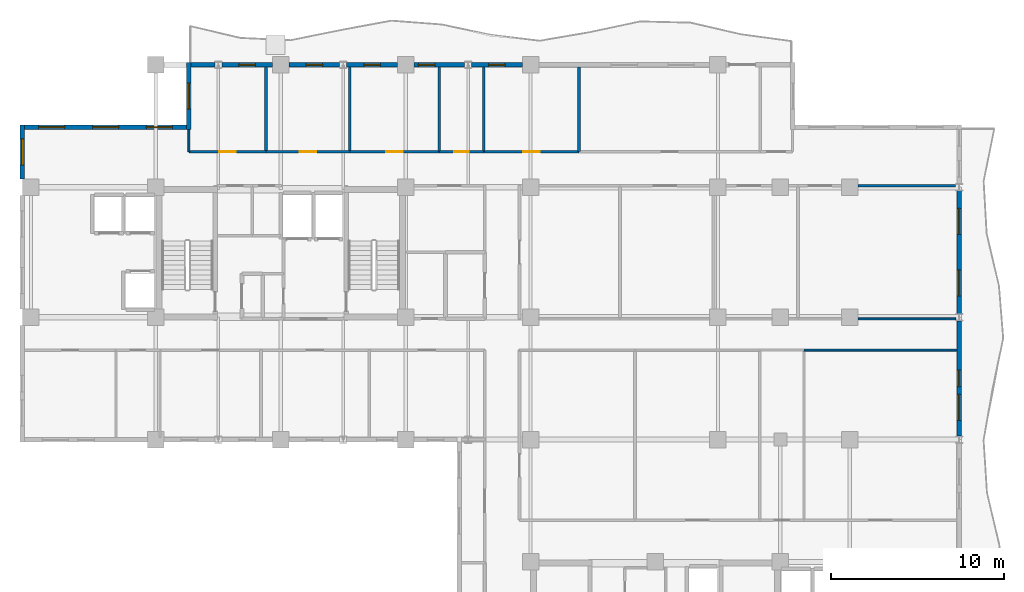
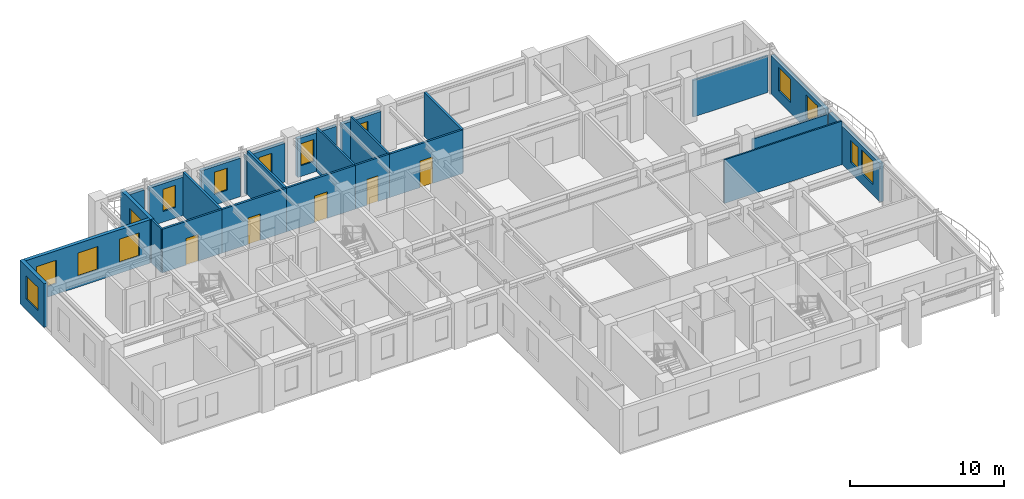
# One storey, part 9 of 13: 25 walls, 14 windows, 5 doors, 19 openings.
"""IFC4 building model written with IfcOpenShell, lengths in metres."""

from ifc_helpers import new_model, si_unit, direction, frame, frame_2d, origin, place, context, subcontext, project, spatial, rectangle, extrude, material, layer, layer_set, type_object, element, fill, save


model = new_model("IFC4")

# Units and contexts
model_context = context("Model", 3, precision=1e-05, world=origin(), true_north=direction((0.0, 1.0)))
body_context = subcontext(model_context, "Body", "Model", "MODEL_VIEW")
ifc_project = project(units=[si_unit("LENGTHUNIT", "METRE"), si_unit("AREAUNIT", "SQUARE_METRE"), si_unit("VOLUMEUNIT", "CUBIC_METRE"), si_unit("PLANEANGLEUNIT", "RADIAN"), si_unit("MASSUNIT", "GRAM", prefix="KILO")], contexts=[model_context])

# Site, building, storey
site_placement = place(None, origin())
site = spatial("IfcSite", under=ifc_project, at=site_placement, CompositionType="ELEMENT")
building_placement = place(site_placement, origin())
building = spatial("IfcBuilding", under=site, at=building_placement, Name="Kaliganga Portal Commons", CompositionType="ELEMENT")
storey_placement = place(building_placement, frame((0.0, 0.0, 224.0)))
storey = spatial("IfcBuildingStorey", under=building, at=storey_placement, Name="L57", CompositionType="ELEMENT", Elevation=224.0)

# Wall, openings, windows
ifc_material_1 = material(Name="Insulated Aluminium-Clad Spandrel Assembly", Category="aluminium")
ifc_layer_1 = layer(ifc_material_1, 0.260009765625)
ifc_layer_set_1 = layer_set([ifc_layer_1], Name="Insulated Aluminium-Clad Spandrel Assembly")
wall_type_1 = type_object("IfcWallType", Name="WL-EXT-SPAND-260", PredefinedType="STANDARD", material=ifc_layer_set_1)
wall_1_placement = place(storey_placement, frame((60.699951171875, 28.448974609375, 0.0), z_axis=(0.0, 0.0, 1.0), x_axis=(0.0, -1.0, 0.0)))
wall_1 = element("IfcWall", 1, at=wall_1_placement, inside=storey, type_object=wall_type_1, Name="Exterior Envelope Wall L57 P1-E03-S3", PredefinedType="STANDARD", context=body_context, shape_type="SweptSolid", body=[
    extrude(rectangle(XDim=6.64794921875, YDim=0.260009765625, at=frame_2d((3.323974609375, 0.0))), origin(), (0.0, 0.0, 1.0), 3.050048828125),
])
opening_1_placement = place(wall_1_placement, frame((4.236083984375, 0.0, 0.85009765625)))
opening_1 = element("IfcOpeningElement", 2, at=opening_1_placement, cuts=wall_1, Name="Opening W-02", PredefinedType="OPENING", context=body_context, shape_type="SweptSolid", body=[
    extrude(rectangle(XDim=1.5, YDim=1.85009765625, at=frame_2d((0.75, 0.925048828125))), frame((0.0, 0.14013671875, 0.0), z_axis=(0.0, -1.0, 0.0), x_axis=(1.0, 0.0, 0.0)), (0.0, 0.0, 1.0), 0.280029296875),
])
opening_2_placement = place(wall_1_placement, frame((2.84912109375, 0.0, 0.85009765625)))
opening_2 = element("IfcOpeningElement", 3, at=opening_2_placement, cuts=wall_1, Name="Opening W-04", PredefinedType="OPENING", context=body_context, shape_type="SweptSolid", body=[
    extrude(rectangle(XDim=0.949951171875, YDim=1.75, at=frame_2d((0.47509765625, 0.875))), frame((0.0, 0.14013671875, 0.0), z_axis=(0.0, -1.0, 0.0), x_axis=(1.0, 0.0, 0.0)), (0.0, 0.0, 1.0), 0.280029296875),
])
ifc_material_2 = material(Name="Thermally Broken Aluminium and Low-E Double Glazing", Category="aluminium")
window_type_1 = type_object("IfcWindowType", Name="WIN-NARROW-950", PartitioningType="SINGLE_PANEL", PredefinedType="WINDOW", material=ifc_material_2)
window_1_placement = place(opening_2_placement, origin())
window_1 = element("IfcWindow", 4, at=window_1_placement, inside=storey, type_object=window_type_1, Name="Facade Window L57-P1E03S3-N0", OverallHeight=1.75, OverallWidth=0.949951171875, PartitioningType="SINGLE_PANEL", PredefinedType="WINDOW", context=body_context, shape_type="SweptSolid", body=[
    extrude(rectangle(XDim=0.949951171875, YDim=1.75, at=frame_2d((0.47509765625, 0.875))), frame((0.0, 0.030029296875, 0.0), z_axis=(0.0, -1.0, 0.0), x_axis=(1.0, 0.0, 0.0)), (0.0, 0.0, 1.0), 0.06005859375),
])
fill(opening_2, window_1)
window_type_2 = type_object("IfcWindowType", Name="WIN-STD-1500", PartitioningType="DOUBLE_PANEL_VERTICAL", PredefinedType="WINDOW", material=ifc_material_2)
window_2_placement = place(opening_1_placement, origin())
window_2 = element("IfcWindow", 5, at=window_2_placement, inside=storey, type_object=window_type_2, Name="Facade Window L57-P1E03S3-01", OverallHeight=1.85009765625, OverallWidth=1.5, PartitioningType="SINGLE_PANEL", PredefinedType="WINDOW", context=body_context, shape_type="SweptSolid", body=[
    extrude(rectangle(XDim=1.5, YDim=1.85009765625, at=frame_2d((0.75, 0.925048828125))), frame((0.0, 0.030029296875, 0.0), z_axis=(0.0, -1.0, 0.0), x_axis=(1.0, 0.0, 0.0)), (0.0, 0.0, 1.0), 0.06005859375),
])
fill(opening_1, window_2)

wall_2_placement = place(storey_placement, frame((60.699951171875, 35.948974609375, 0.0), z_axis=(0.0, 0.0, 1.0), x_axis=(0.0, -1.0, 0.0)))
wall_2 = element("IfcWall", 6, at=wall_2_placement, inside=storey, type_object=wall_type_1, Name="Exterior Envelope Wall L57 P1-E03-S4", PredefinedType="STANDARD", context=body_context, shape_type="SweptSolid", body=[
    extrude(rectangle(XDim=7.097900390625, YDim=0.260009765625, at=frame_2d((3.548828125, 0.0))), origin(), (0.0, 0.0, 1.0), 3.050048828125),
])
opening_3_placement = place(wall_2_placement, frame((1.0244140625, 0.0, 0.85009765625)))
opening_3 = element("IfcOpeningElement", 7, at=opening_3_placement, cuts=wall_2, Name="Opening W-02", PredefinedType="OPENING", context=body_context, shape_type="SweptSolid", body=[
    extrude(rectangle(XDim=1.5, YDim=1.85009765625, at=frame_2d((0.75, 0.925048828125))), frame((0.0, 0.14013671875, 0.0), z_axis=(0.0, -1.0, 0.0), x_axis=(1.0, 0.0, 0.0)), (0.0, 0.0, 1.0), 0.280029296875),
])
opening_4_placement = place(wall_2_placement, frame((4.573486328125, 0.0, 0.85009765625)))
opening_4 = element("IfcOpeningElement", 8, at=opening_4_placement, cuts=wall_2, Name="Opening W-02", PredefinedType="OPENING", context=body_context, shape_type="SweptSolid", body=[
    extrude(rectangle(XDim=1.5, YDim=1.85009765625, at=frame_2d((0.75, 0.925048828125))), frame((0.0, 0.14013671875, 0.0), z_axis=(0.0, -1.0, 0.0), x_axis=(1.0, 0.0, 0.0)), (0.0, 0.0, 1.0), 0.280029296875),
])
window_3_placement = place(opening_3_placement, origin())
window_3 = element("IfcWindow", 9, at=window_3_placement, inside=storey, type_object=window_type_2, Name="Facade Window L57-P1E03S4-00", OverallHeight=1.85009765625, OverallWidth=1.5, PartitioningType="SINGLE_PANEL", PredefinedType="WINDOW", context=body_context, shape_type="SweptSolid", body=[
    extrude(rectangle(XDim=1.5, YDim=1.85009765625, at=frame_2d((0.75, 0.925048828125))), frame((0.0, 0.030029296875, 0.0), z_axis=(0.0, -1.0, 0.0), x_axis=(1.0, 0.0, 0.0)), (0.0, 0.0, 1.0), 0.06005859375),
])
fill(opening_3, window_3)
window_4_placement = place(opening_4_placement, origin())
window_4 = element("IfcWindow", 10, at=window_4_placement, inside=storey, type_object=window_type_2, Name="Facade Window L57-P1E03S4-01", OverallHeight=1.85009765625, OverallWidth=1.5, PartitioningType="SINGLE_PANEL", PredefinedType="WINDOW", context=body_context, shape_type="SweptSolid", body=[
    extrude(rectangle(XDim=1.5, YDim=1.85009765625, at=frame_2d((0.75, 0.925048828125))), frame((0.0, 0.030029296875, 0.0), z_axis=(0.0, -1.0, 0.0), x_axis=(1.0, 0.0, 0.0)), (0.0, 0.0, 1.0), 0.06005859375),
])
fill(opening_4, window_4)

# Wall, opening, window
wall_3_placement = place(storey_placement, frame((32.6005859375, 43.199951171875, 0.0), z_axis=(0.0, 0.0, 1.0), x_axis=(1.0, 0.0, 0.0)))
wall_3 = element("IfcWall", 11, at=wall_3_placement, inside=storey, type_object=wall_type_1, Name="Exterior Envelope Wall L57 P1-E06-S3", PredefinedType="STANDARD", context=body_context, shape_type="SweptSolid", body=[
    extrude(rectangle(XDim=2.92333984375, YDim=0.260009765625, at=frame_2d((1.461669921875, 0.0))), origin(), (0.0, 0.0, 1.0), 3.050048828125),
])
opening_5_placement = place(wall_3_placement, frame((0.98681640625, 0.0, 0.85009765625)))
opening_5 = element("IfcOpeningElement", 12, at=opening_5_placement, cuts=wall_3, Name="Opening W-04", PredefinedType="OPENING", context=body_context, shape_type="SweptSolid", body=[
    extrude(rectangle(XDim=0.949951171875, YDim=1.75, at=frame_2d((0.47509765625, 0.875))), frame((0.0, 0.14013671875, 0.0), z_axis=(0.0, -1.0, 0.0), x_axis=(1.0, 0.0, 0.0)), (0.0, 0.0, 1.0), 0.280029296875),
])
window_5_placement = place(opening_5_placement, origin())
window_5 = element("IfcWindow", 13, at=window_5_placement, inside=storey, type_object=window_type_1, Name="Facade Window L57-P1E06S3-00", OverallHeight=1.75, OverallWidth=0.949951171875, PartitioningType="SINGLE_PANEL", PredefinedType="WINDOW", context=body_context, shape_type="SweptSolid", body=[
    extrude(rectangle(XDim=0.949951171875, YDim=1.75, at=frame_2d((0.47509765625, 0.875))), frame((0.0, 0.030029296875, 0.0), z_axis=(0.0, -1.0, 0.0), x_axis=(1.0, 0.0, 0.0)), (0.0, 0.0, 1.0), 0.06005859375),
])
fill(opening_5, window_5)

wall_4_placement = place(storey_placement, frame((29.27587890625, 43.199951171875, 0.0), z_axis=(0.0, 0.0, 1.0), x_axis=(1.0, 0.0, 0.0)))
wall_4 = element("IfcWall", 14, at=wall_4_placement, inside=storey, type_object=wall_type_1, Name="Exterior Envelope Wall L57 P1-E06-S4", PredefinedType="STANDARD", context=body_context, shape_type="SweptSolid", body=[
    extrude(rectangle(XDim=2.923583984375, YDim=0.260009765625, at=frame_2d((1.4619140625, 0.0))), origin(), (0.0, 0.0, 1.0), 3.050048828125),
])
opening_6_placement = place(wall_4_placement, frame((0.26171875, 0.0, 0.85009765625)))
opening_6 = element("IfcOpeningElement", 15, at=opening_6_placement, cuts=wall_4, Name="Opening W-04", PredefinedType="OPENING", context=body_context, shape_type="SweptSolid", body=[
    extrude(rectangle(XDim=0.949951171875, YDim=1.75, at=frame_2d((0.47509765625, 0.875))), frame((0.0, 0.14013671875, 0.0), z_axis=(0.0, -1.0, 0.0), x_axis=(1.0, 0.0, 0.0)), (0.0, 0.0, 1.0), 0.280029296875),
])
window_6_placement = place(opening_6_placement, origin())
window_6 = element("IfcWindow", 16, at=window_6_placement, inside=storey, type_object=window_type_1, Name="Facade Window L57-P1E06S4-N1", OverallHeight=1.75, OverallWidth=0.949951171875, PartitioningType="SINGLE_PANEL", PredefinedType="WINDOW", context=body_context, shape_type="SweptSolid", body=[
    extrude(rectangle(XDim=0.949951171875, YDim=1.75, at=frame_2d((0.47509765625, 0.875))), frame((0.0, 0.030029296875, 0.0), z_axis=(0.0, -1.0, 0.0), x_axis=(1.0, 0.0, 0.0)), (0.0, 0.0, 1.0), 0.06005859375),
])
fill(opening_6, window_6)

wall_5_placement = place(storey_placement, frame((25.400390625, 43.199951171875, 0.0), z_axis=(0.0, 0.0, 1.0), x_axis=(1.0, 0.0, 0.0)))
wall_5 = element("IfcWall", 17, at=wall_5_placement, inside=storey, type_object=wall_type_1, Name="Exterior Envelope Wall L57 P1-E06-S5", PredefinedType="STANDARD", context=body_context, shape_type="SweptSolid", body=[
    extrude(rectangle(XDim=2.923583984375, YDim=0.260009765625, at=frame_2d((1.4619140625, 0.0))), origin(), (0.0, 0.0, 1.0), 3.050048828125),
])
opening_7_placement = place(wall_5_placement, frame((0.98681640625, 0.0, 0.85009765625)))
opening_7 = element("IfcOpeningElement", 18, at=opening_7_placement, cuts=wall_5, Name="Opening W-04", PredefinedType="OPENING", context=body_context, shape_type="SweptSolid", body=[
    extrude(rectangle(XDim=0.949951171875, YDim=1.75, at=frame_2d((0.47509765625, 0.875))), frame((0.0, 0.14013671875, 0.0), z_axis=(0.0, -1.0, 0.0), x_axis=(1.0, 0.0, 0.0)), (0.0, 0.0, 1.0), 0.280029296875),
])
window_7_placement = place(opening_7_placement, origin())
window_7 = element("IfcWindow", 19, at=window_7_placement, inside=storey, type_object=window_type_1, Name="Facade Window L57-P1E06S5-00", OverallHeight=1.75, OverallWidth=0.949951171875, PartitioningType="SINGLE_PANEL", PredefinedType="WINDOW", context=body_context, shape_type="SweptSolid", body=[
    extrude(rectangle(XDim=0.949951171875, YDim=1.75, at=frame_2d((0.47509765625, 0.875))), frame((0.0, 0.030029296875, 0.0), z_axis=(0.0, -1.0, 0.0), x_axis=(1.0, 0.0, 0.0)), (0.0, 0.0, 1.0), 0.06005859375),
])
fill(opening_7, window_7)

wall_6_placement = place(storey_placement, frame((22.075927734375, 43.199951171875, 0.0), z_axis=(0.0, 0.0, 1.0), x_axis=(1.0, 0.0, 0.0)))
wall_6 = element("IfcWall", 20, at=wall_6_placement, inside=storey, type_object=wall_type_1, Name="Exterior Envelope Wall L57 P1-E06-S6", PredefinedType="STANDARD", context=body_context, shape_type="SweptSolid", body=[
    extrude(rectangle(XDim=2.923583984375, YDim=0.260009765625, at=frame_2d((1.4619140625, 0.0))), origin(), (0.0, 0.0, 1.0), 3.050048828125),
])
opening_8_placement = place(wall_6_placement, frame((0.98681640625, 0.0, 0.85009765625)))
opening_8 = element("IfcOpeningElement", 21, at=opening_8_placement, cuts=wall_6, Name="Opening W-04", PredefinedType="OPENING", context=body_context, shape_type="SweptSolid", body=[
    extrude(rectangle(XDim=0.949951171875, YDim=1.75, at=frame_2d((0.47509765625, 0.875))), frame((0.0, 0.14013671875, 0.0), z_axis=(0.0, -1.0, 0.0), x_axis=(1.0, 0.0, 0.0)), (0.0, 0.0, 1.0), 0.280029296875),
])
window_8_placement = place(opening_8_placement, origin())
window_8 = element("IfcWindow", 22, at=window_8_placement, inside=storey, type_object=window_type_1, Name="Facade Window L57-P1E06S6-00", OverallHeight=1.75, OverallWidth=0.949951171875, PartitioningType="SINGLE_PANEL", PredefinedType="WINDOW", context=body_context, shape_type="SweptSolid", body=[
    extrude(rectangle(XDim=0.949951171875, YDim=1.75, at=frame_2d((0.47509765625, 0.875))), frame((0.0, 0.030029296875, 0.0), z_axis=(0.0, -1.0, 0.0), x_axis=(1.0, 0.0, 0.0)), (0.0, 0.0, 1.0), 0.06005859375),
])
fill(opening_8, window_8)

wall_7_placement = place(storey_placement, frame((18.200439453125, 43.199951171875, 0.0), z_axis=(0.0, 0.0, 1.0), x_axis=(1.0, 0.0, 0.0)))
wall_7 = element("IfcWall", 23, at=wall_7_placement, inside=storey, type_object=wall_type_1, Name="Exterior Envelope Wall L57 P1-E06-S7", PredefinedType="STANDARD", context=body_context, shape_type="SweptSolid", body=[
    extrude(rectangle(XDim=2.923583984375, YDim=0.260009765625, at=frame_2d((1.4619140625, 0.0))), origin(), (0.0, 0.0, 1.0), 3.050048828125),
])
opening_9_placement = place(wall_7_placement, frame((0.98681640625, 0.0, 0.85009765625)))
opening_9 = element("IfcOpeningElement", 24, at=opening_9_placement, cuts=wall_7, Name="Opening W-04", PredefinedType="OPENING", context=body_context, shape_type="SweptSolid", body=[
    extrude(rectangle(XDim=0.949951171875, YDim=1.75, at=frame_2d((0.47509765625, 0.875))), frame((0.0, 0.14013671875, 0.0), z_axis=(0.0, -1.0, 0.0), x_axis=(1.0, 0.0, 0.0)), (0.0, 0.0, 1.0), 0.280029296875),
])
window_9_placement = place(opening_9_placement, origin())
window_9 = element("IfcWindow", 25, at=window_9_placement, inside=storey, type_object=window_type_1, Name="Facade Window L57-P1E06S7-00", OverallHeight=1.75, OverallWidth=0.949951171875, PartitioningType="SINGLE_PANEL", PredefinedType="WINDOW", context=body_context, shape_type="SweptSolid", body=[
    extrude(rectangle(XDim=0.949951171875, YDim=1.75, at=frame_2d((0.47509765625, 0.875))), frame((0.0, 0.030029296875, 0.0), z_axis=(0.0, -1.0, 0.0), x_axis=(1.0, 0.0, 0.0)), (0.0, 0.0, 1.0), 0.06005859375),
])
fill(opening_9, window_9)

# Wall
wall_8_placement = place(storey_placement, frame((16.43505859375, 43.199951171875, 0.0), z_axis=(0.0, 0.0, 1.0), x_axis=(1.0, 0.0, 0.0)))
element("IfcWall", 26, at=wall_8_placement, inside=storey, type_object=wall_type_1, Name="Exterior Envelope Wall L57 P1-E06-S8", PredefinedType="STANDARD", context=body_context, shape_type="SweptSolid", body=[
    extrude(rectangle(XDim=1.364501953125, YDim=0.260009765625, at=frame_2d((0.68212890625, 0.0))), origin(), (0.0, 0.0, 1.0), 3.050048828125),
])

# Wall, opening, window
wall_9_placement = place(storey_placement, frame((16.300048828125, 39.469970703125, 0.0), z_axis=(0.0, 0.0, 1.0), x_axis=(0.0, 1.0, 0.0)))
wall_9 = element("IfcWall", 27, at=wall_9_placement, inside=storey, type_object=wall_type_1, Name="Exterior Envelope Wall L57 P1-E07-S1", PredefinedType="STANDARD", context=body_context, shape_type="SweptSolid", body=[
    extrude(rectangle(XDim=3.860107421875, YDim=0.260009765625, at=frame_2d((1.93017578125, 0.0))), origin(), (0.0, 0.0, 1.0), 3.449951171875),
])
opening_10_placement = place(wall_9_placement, frame((1.179931640625, 0.0, 0.85009765625)))
opening_10 = element("IfcOpeningElement", 28, at=opening_10_placement, cuts=wall_9, Name="Opening W-02", PredefinedType="OPENING", context=body_context, shape_type="SweptSolid", body=[
    extrude(rectangle(XDim=1.5, YDim=1.85009765625, at=frame_2d((0.75, 0.925048828125))), frame((0.0, 0.14013671875, 0.0), z_axis=(0.0, -1.0, 0.0), x_axis=(1.0, 0.0, 0.0)), (0.0, 0.0, 1.0), 0.280029296875),
])
window_10_placement = place(opening_10_placement, origin())
window_10 = element("IfcWindow", 29, at=window_10_placement, inside=storey, type_object=window_type_2, Name="Facade Window L57-P1E07S1-00", OverallHeight=1.85009765625, OverallWidth=1.5, PartitioningType="SINGLE_PANEL", PredefinedType="WINDOW", context=body_context, shape_type="SweptSolid", body=[
    extrude(rectangle(XDim=1.5, YDim=1.85009765625, at=frame_2d((0.75, 0.925048828125))), frame((0.0, 0.030029296875, 0.0), z_axis=(0.0, -1.0, 0.0), x_axis=(1.0, 0.0, 0.0)), (0.0, 0.0, 1.0), 0.06005859375),
])
fill(opening_10, window_10)

# Wall, openings, windows
wall_10_placement = place(storey_placement, frame((6.8349609375, 39.60009765625, 0.0), z_axis=(0.0, 0.0, 1.0), x_axis=(1.0, 0.0, 0.0)))
wall_10 = element("IfcWall", 30, at=wall_10_placement, inside=storey, type_object=wall_type_1, Name="Exterior Envelope Wall L57 P1-E08-S1", PredefinedType="STANDARD", context=body_context, shape_type="SweptSolid", body=[
    extrude(rectangle(XDim=9.330078125, YDim=0.260009765625, at=frame_2d((4.6650390625, 0.0))), origin(), (0.0, 0.0, 1.0), 3.449951171875),
])
opening_11_placement = place(wall_10_placement, frame((0.804931640625, 0.0, 0.85009765625)))
opening_11 = element("IfcOpeningElement", 31, at=opening_11_placement, cuts=wall_10, Name="Opening W-02", PredefinedType="OPENING", context=body_context, shape_type="SweptSolid", body=[
    extrude(rectangle(XDim=1.5, YDim=1.85009765625, at=frame_2d((0.75, 0.925048828125))), frame((0.0, 0.14013671875, 0.0), z_axis=(0.0, -1.0, 0.0), x_axis=(1.0, 0.0, 0.0)), (0.0, 0.0, 1.0), 0.280029296875),
])
opening_12_placement = place(wall_10_placement, frame((3.9150390625, 0.0, 0.85009765625)))
opening_12 = element("IfcOpeningElement", 32, at=opening_12_placement, cuts=wall_10, Name="Opening W-02", PredefinedType="OPENING", context=body_context, shape_type="SweptSolid", body=[
    extrude(rectangle(XDim=1.5, YDim=1.85009765625, at=frame_2d((0.75, 0.925048828125))), frame((0.0, 0.14013671875, 0.0), z_axis=(0.0, -1.0, 0.0), x_axis=(1.0, 0.0, 0.0)), (0.0, 0.0, 1.0), 0.280029296875),
])
opening_13_placement = place(wall_10_placement, frame((7.02490234375, 0.0, 0.85009765625)))
opening_13 = element("IfcOpeningElement", 33, at=opening_13_placement, cuts=wall_10, Name="Opening W-02", PredefinedType="OPENING", context=body_context, shape_type="SweptSolid", body=[
    extrude(rectangle(XDim=1.5, YDim=1.85009765625, at=frame_2d((0.75, 0.925048828125))), frame((0.0, 0.14013671875, 0.0), z_axis=(0.0, -1.0, 0.0), x_axis=(1.0, 0.0, 0.0)), (0.0, 0.0, 1.0), 0.280029296875),
])
window_11_placement = place(opening_11_placement, origin())
window_11 = element("IfcWindow", 34, at=window_11_placement, inside=storey, type_object=window_type_2, Name="Facade Window L57-P1E08S1-00", OverallHeight=1.85009765625, OverallWidth=1.5, PartitioningType="SINGLE_PANEL", PredefinedType="WINDOW", context=body_context, shape_type="SweptSolid", body=[
    extrude(rectangle(XDim=1.5, YDim=1.85009765625, at=frame_2d((0.75, 0.925048828125))), frame((0.0, 0.030029296875, 0.0), z_axis=(0.0, -1.0, 0.0), x_axis=(1.0, 0.0, 0.0)), (0.0, 0.0, 1.0), 0.06005859375),
])
fill(opening_11, window_11)
window_12_placement = place(opening_12_placement, origin())
window_12 = element("IfcWindow", 35, at=window_12_placement, inside=storey, type_object=window_type_2, Name="Facade Window L57-P1E08S1-01", OverallHeight=1.85009765625, OverallWidth=1.5, PartitioningType="SINGLE_PANEL", PredefinedType="WINDOW", context=body_context, shape_type="SweptSolid", body=[
    extrude(rectangle(XDim=1.5, YDim=1.85009765625, at=frame_2d((0.75, 0.925048828125))), frame((0.0, 0.030029296875, 0.0), z_axis=(0.0, -1.0, 0.0), x_axis=(1.0, 0.0, 0.0)), (0.0, 0.0, 1.0), 0.06005859375),
])
fill(opening_12, window_12)
window_13_placement = place(opening_13_placement, origin())
window_13 = element("IfcWindow", 36, at=window_13_placement, inside=storey, type_object=window_type_2, Name="Facade Window L57-P1E08S1-02", OverallHeight=1.85009765625, OverallWidth=1.5, PartitioningType="SINGLE_PANEL", PredefinedType="WINDOW", context=body_context, shape_type="SweptSolid", body=[
    extrude(rectangle(XDim=1.5, YDim=1.85009765625, at=frame_2d((0.75, 0.925048828125))), frame((0.0, 0.030029296875, 0.0), z_axis=(0.0, -1.0, 0.0), x_axis=(1.0, 0.0, 0.0)), (0.0, 0.0, 1.0), 0.06005859375),
])
fill(opening_13, window_13)

# Wall, opening, window
wall_11_placement = place(storey_placement, frame((6.699951171875, 36.6259765625, 0.0), z_axis=(0.0, 0.0, 1.0), x_axis=(0.0, 1.0, 0.0)))
wall_11 = element("IfcWall", 37, at=wall_11_placement, inside=storey, type_object=wall_type_1, Name="Exterior Envelope Wall L57 P1-E09-S1", PredefinedType="STANDARD", context=body_context, shape_type="SweptSolid", body=[
    extrude(rectangle(XDim=3.10400390625, YDim=0.260009765625, at=frame_2d((1.552001953125, 0.0))), origin(), (0.0, 0.0, 1.0), 3.449951171875),
])
opening_14_placement = place(wall_11_placement, frame((0.802001953125, 0.0, 0.85009765625)))
opening_14 = element("IfcOpeningElement", 38, at=opening_14_placement, cuts=wall_11, Name="Opening W-02", PredefinedType="OPENING", context=body_context, shape_type="SweptSolid", body=[
    extrude(rectangle(XDim=1.5, YDim=1.85009765625, at=frame_2d((0.75, 0.925048828125))), frame((0.0, 0.14013671875, 0.0), z_axis=(0.0, -1.0, 0.0), x_axis=(1.0, 0.0, 0.0)), (0.0, 0.0, 1.0), 0.280029296875),
])
window_14_placement = place(opening_14_placement, origin())
window_14 = element("IfcWindow", 39, at=window_14_placement, inside=storey, type_object=window_type_2, Name="Facade Window L57-P1E09S1-00", OverallHeight=1.85009765625, OverallWidth=1.5, PartitioningType="SINGLE_PANEL", PredefinedType="WINDOW", context=body_context, shape_type="SweptSolid", body=[
    extrude(rectangle(XDim=1.5, YDim=1.85009765625, at=frame_2d((0.75, 0.925048828125))), frame((0.0, 0.030029296875, 0.0), z_axis=(0.0, -1.0, 0.0), x_axis=(1.0, 0.0, 0.0)), (0.0, 0.0, 1.0), 0.06005859375),
])
fill(opening_14, window_14)

# Wall
ifc_material_3 = material(Name="Fire-Rated Gypsum Board on Steel Stud", Category="steel")
ifc_layer_2 = layer(ifc_material_3, 0.14990234375)
ifc_layer_set_2 = layer_set([ifc_layer_2], Name="Fire-Rated Gypsum Board on Steel Stud")
wall_type_2 = type_object("IfcWallType", Name="WL-PART-CORR-150", PredefinedType="PARTITIONING", material=ifc_layer_set_2)
wall_12_placement = place(storey_placement, frame((54.875, 36.239990234375, 0.0), z_axis=(0.0, 0.0, 1.0), x_axis=(1.0, 0.0, 0.0)))
element("IfcWall", 40, at=wall_12_placement, inside=storey, type_object=wall_type_2, Name="Interior Partition L57-004", PredefinedType="PARTITIONING", context=body_context, shape_type="SweptSolid", body=[
    extrude(rectangle(XDim=5.62548828125, YDim=0.14990234375, at=frame_2d((2.812744140625, 0.0))), origin(), (0.0, 0.0, 1.0), 2.89990234375),
])

# Wall, opening, door
wall_13_placement = place(storey_placement, frame((33.300048828125, 38.199951171875, 0.0), z_axis=(0.0, 0.0, 1.0), x_axis=(1.0, 0.0, 0.0)))
wall_13 = element("IfcWall", 41, at=wall_13_placement, inside=storey, type_object=wall_type_2, Name="Interior Partition L57-015", PredefinedType="PARTITIONING", context=body_context, shape_type="SweptSolid", body=[
    extrude(rectangle(XDim=5.5, YDim=0.14990234375, at=frame_2d((2.75, 0.0))), origin(), (0.0, 0.0, 1.0), 3.449951171875),
])
opening_15_placement = place(wall_13_placement, frame((2.27490234375, 0.0, 0.0)))
opening_15 = element("IfcOpeningElement", 42, at=opening_15_placement, cuts=wall_13, Name="Opening UD-01", PredefinedType="OPENING", context=body_context, shape_type="SweptSolid", body=[
    extrude(rectangle(XDim=0.949951171875, YDim=2.10009765625, at=frame_2d((0.47509765625, 1.050048828125))), frame((0.0, 0.0849609375, 0.0), z_axis=(0.0, -1.0, 0.0), x_axis=(1.0, 0.0, 0.0)), (0.0, 0.0, 1.0), 0.169921875),
])
ifc_material_4 = material(Name="Solid-Core Timber Acoustic Fire Door", Category="wood")
door_type_1 = type_object("IfcDoorType", Name="DR-UNIT-950", OperationType="NOTDEFINED", PredefinedType="DOOR", material=ifc_material_4)
door_1_placement = place(opening_15_placement, origin())
door_1 = element("IfcDoor", 43, at=door_1_placement, inside=storey, type_object=door_type_1, Name="Interior Door L57-AN05", OperationType="SINGLE_SWING_LEFT", OverallHeight=2.10009765625, OverallWidth=0.949951171875, PredefinedType="DOOR", context=body_context, shape_type="SweptSolid", body=[
    extrude(rectangle(XDim=0.949951171875, YDim=2.10009765625, at=frame_2d((0.47509765625, 1.050048828125))), frame((0.0, 0.02490234375, 0.0), z_axis=(0.0, -1.0, 0.0), x_axis=(1.0, 0.0, 0.0)), (0.0, 0.0, 1.0), 0.050048828125),
])
fill(opening_15, door_1)

wall_14_placement = place(storey_placement, frame((25.580078125, 38.199951171875, 0.0), z_axis=(0.0, 0.0, 1.0), x_axis=(1.0, 0.0, 0.0)))
wall_14 = element("IfcWall", 44, at=wall_14_placement, inside=storey, type_object=wall_type_2, Name="Interior Partition L57-018", PredefinedType="PARTITIONING", context=body_context, shape_type="SweptSolid", body=[
    extrude(rectangle(XDim=5.159912109375, YDim=0.14990234375, at=frame_2d((2.580078125, 0.0))), origin(), (0.0, 0.0, 1.0), 3.449951171875),
])
opening_16_placement = place(wall_14_placement, frame((2.10498046875, 0.0, 0.0)))
opening_16 = element("IfcOpeningElement", 45, at=opening_16_placement, cuts=wall_14, Name="Opening UD-01", PredefinedType="OPENING", context=body_context, shape_type="SweptSolid", body=[
    extrude(rectangle(XDim=0.949951171875, YDim=2.10009765625, at=frame_2d((0.47509765625, 1.050048828125))), frame((0.0, 0.0849609375, 0.0), z_axis=(0.0, -1.0, 0.0), x_axis=(1.0, 0.0, 0.0)), (0.0, 0.0, 1.0), 0.169921875),
])
door_2_placement = place(opening_16_placement, origin())
door_2 = element("IfcDoor", 46, at=door_2_placement, inside=storey, type_object=door_type_1, Name="Interior Door L57-AN03", OperationType="SINGLE_SWING_RIGHT", OverallHeight=2.10009765625, OverallWidth=0.949951171875, PredefinedType="DOOR", context=body_context, shape_type="SweptSolid", body=[
    extrude(rectangle(XDim=0.949951171875, YDim=2.10009765625, at=frame_2d((0.47509765625, 1.050048828125))), frame((0.0, 0.02490234375, 0.0), z_axis=(0.0, -1.0, 0.0), x_axis=(1.0, 0.0, 0.0)), (0.0, 0.0, 1.0), 0.050048828125),
])
fill(opening_16, door_2)

wall_15_placement = place(storey_placement, frame((20.760009765625, 38.199951171875, 0.0), z_axis=(0.0, 0.0, 1.0), x_axis=(1.0, 0.0, 0.0)))
wall_15 = element("IfcWall", 47, at=wall_15_placement, inside=storey, type_object=wall_type_2, Name="Interior Partition L57-022", PredefinedType="PARTITIONING", context=body_context, shape_type="SweptSolid", body=[
    extrude(rectangle(XDim=4.820068359375, YDim=0.14990234375, at=frame_2d((2.41015625, 0.0))), origin(), (0.0, 0.0, 1.0), 3.449951171875),
])
opening_17_placement = place(wall_15_placement, frame((1.93505859375, 0.0, 0.0)))
opening_17 = element("IfcOpeningElement", 48, at=opening_17_placement, cuts=wall_15, Name="Opening UD-01", PredefinedType="OPENING", context=body_context, shape_type="SweptSolid", body=[
    extrude(rectangle(XDim=0.949951171875, YDim=2.10009765625, at=frame_2d((0.47509765625, 1.050048828125))), frame((0.0, 0.0849609375, 0.0), z_axis=(0.0, -1.0, 0.0), x_axis=(1.0, 0.0, 0.0)), (0.0, 0.0, 1.0), 0.169921875),
])
door_3_placement = place(opening_17_placement, origin())
door_3 = element("IfcDoor", 49, at=door_3_placement, inside=storey, type_object=door_type_1, Name="Interior Door L57-AN02", OperationType="SINGLE_SWING_RIGHT", OverallHeight=2.10009765625, OverallWidth=0.949951171875, PredefinedType="DOOR", context=body_context, shape_type="SweptSolid", body=[
    extrude(rectangle(XDim=0.949951171875, YDim=2.10009765625, at=frame_2d((0.47509765625, 1.050048828125))), frame((0.0, 0.02490234375, 0.0), z_axis=(0.0, -1.0, 0.0), x_axis=(1.0, 0.0, 0.0)), (0.0, 0.0, 1.0), 0.050048828125),
])
fill(opening_17, door_3)

wall_16_placement = place(storey_placement, frame((16.300048828125, 38.199951171875, 0.0), z_axis=(0.0, 0.0, 1.0), x_axis=(1.0, 0.0, 0.0)))
wall_16 = element("IfcWall", 50, at=wall_16_placement, inside=storey, type_object=wall_type_2, Name="Interior Partition L57-024", PredefinedType="PARTITIONING", context=body_context, shape_type="SweptSolid", body=[
    extrude(rectangle(XDim=4.4599609375, YDim=0.14990234375, at=frame_2d((2.22998046875, 0.0))), origin(), (0.0, 0.0, 1.0), 3.449951171875),
])
opening_18_placement = place(wall_16_placement, frame((1.7548828125, 0.0, 0.0)))
opening_18 = element("IfcOpeningElement", 51, at=opening_18_placement, cuts=wall_16, Name="Opening UD-01", PredefinedType="OPENING", context=body_context, shape_type="SweptSolid", body=[
    extrude(rectangle(XDim=0.949951171875, YDim=2.10009765625, at=frame_2d((0.47509765625, 1.050048828125))), frame((0.0, 0.0849609375, 0.0), z_axis=(0.0, -1.0, 0.0), x_axis=(1.0, 0.0, 0.0)), (0.0, 0.0, 1.0), 0.169921875),
])
door_4_placement = place(opening_18_placement, origin())
door_4 = element("IfcDoor", 52, at=door_4_placement, inside=storey, type_object=door_type_1, Name="Interior Door L57-AN01", OperationType="SINGLE_SWING_RIGHT", OverallHeight=2.10009765625, OverallWidth=0.949951171875, PredefinedType="DOOR", context=body_context, shape_type="SweptSolid", body=[
    extrude(rectangle(XDim=0.949951171875, YDim=2.10009765625, at=frame_2d((0.47509765625, 1.050048828125))), frame((0.0, 0.02490234375, 0.0), z_axis=(0.0, -1.0, 0.0), x_axis=(1.0, 0.0, 0.0)), (0.0, 0.0, 1.0), 0.050048828125),
])
fill(opening_18, door_4)

wall_17_placement = place(storey_placement, frame((30.739990234375, 38.199951171875, 0.0), z_axis=(0.0, 0.0, 1.0), x_axis=(1.0, 0.0, 0.0)))
wall_17 = element("IfcWall", 53, at=wall_17_placement, inside=storey, type_object=wall_type_2, Name="Interior Partition L57-029", PredefinedType="PARTITIONING", context=body_context, shape_type="SweptSolid", body=[
    extrude(rectangle(XDim=2.56005859375, YDim=0.14990234375, at=frame_2d((1.280029296875, 0.0))), origin(), (0.0, 0.0, 1.0), 3.449951171875),
])
opening_19_placement = place(wall_17_placement, frame((0.85498046875, 0.0, 0.0)))
opening_19 = element("IfcOpeningElement", 54, at=opening_19_placement, cuts=wall_17, Name="Opening WD-01", PredefinedType="OPENING", context=body_context, shape_type="SweptSolid", body=[
    extrude(rectangle(XDim=0.85009765625, YDim=2.0400390625, at=frame_2d((0.425048828125, 1.02001953125))), frame((0.0, 0.0849609375, 0.0), z_axis=(0.0, -1.0, 0.0), x_axis=(1.0, 0.0, 0.0)), (0.0, 0.0, 1.0), 0.169921875),
])
ifc_material_5 = material(Name="Moisture-Resistant Laminate Timber Door", Category="wood")
door_type_2 = type_object("IfcDoorType", Name="DR-WET-850", OperationType="NOTDEFINED", PredefinedType="DOOR", material=ifc_material_5)
door_5_placement = place(opening_19_placement, origin())
door_5 = element("IfcDoor", 55, at=door_5_placement, inside=storey, type_object=door_type_2, Name="Interior Door L57-AN04", OperationType="SINGLE_SWING_RIGHT", OverallHeight=2.0400390625, OverallWidth=0.85009765625, PredefinedType="DOOR", context=body_context, shape_type="SweptSolid", body=[
    extrude(rectangle(XDim=0.85009765625, YDim=2.0400390625, at=frame_2d((0.425048828125, 1.02001953125))), frame((0.0, 0.02490234375, 0.0), z_axis=(0.0, -1.0, 0.0), x_axis=(1.0, 0.0, 0.0)), (0.0, 0.0, 1.0), 0.050048828125),
])
fill(opening_19, door_5)

# Walls
ifc_material_6 = material(Name="Moisture-Resistant Gypsum Partition", Category="gypsum")
ifc_layer_3 = layer(ifc_material_6, 0.114990234375)
ifc_layer_set_3 = layer_set([ifc_layer_3], Name="Moisture-Resistant Gypsum Partition")
wall_type_3 = type_object("IfcWallType", Name="WL-PART-ROOM-115", PredefinedType="PARTITIONING", material=ifc_layer_set_3)
wall_18_placement = place(storey_placement, frame((54.875, 28.56005859375, 0.0), z_axis=(0.0, 0.0, 1.0), x_axis=(1.0, 0.0, 0.0)))
element("IfcWall", 56, at=wall_18_placement, inside=storey, type_object=wall_type_3, Name="Interior Partition L57-049", PredefinedType="PARTITIONING", context=body_context, shape_type="SweptSolid", body=[
    extrude(rectangle(XDim=5.62548828125, YDim=0.114990234375, at=frame_2d((2.812744140625, 0.0))), origin(), (0.0, 0.0, 1.0), 2.89990234375),
])
wall_19_placement = place(storey_placement, frame((51.760009765625, 26.760009765625, 0.0), z_axis=(0.0, 0.0, 1.0), x_axis=(1.0, 0.0, 0.0)))
element("IfcWall", 57, at=wall_19_placement, inside=storey, type_object=wall_type_3, Name="Interior Partition L57-050", PredefinedType="PARTITIONING", context=body_context, shape_type="SweptSolid", body=[
    extrude(rectangle(XDim=8.80810546875, YDim=0.114990234375, at=frame_2d((4.404052734375, 0.0))), origin(), (0.0, 0.0, 1.0), 3.449951171875),
])
wall_20_placement = place(storey_placement, frame((16.300048828125, 38.199951171875, 0.0), z_axis=(0.0, 0.0, 1.0), x_axis=(0.0, 1.0, 0.0)))
element("IfcWall", 58, at=wall_20_placement, inside=storey, type_object=wall_type_3, Name="Interior Partition L57-062", PredefinedType="PARTITIONING", context=body_context, shape_type="SweptSolid", body=[
    extrude(rectangle(XDim=1.26806640625, YDim=0.114990234375, at=frame_2d((0.634033203125, 0.0))), origin(), (0.0, 0.0, 1.0), 3.449951171875),
])
ifc_material_7 = material(Name="Twin-Stud Acoustic Gypsum Partition", Category="gypsum")
ifc_layer_4 = layer(ifc_material_7, 0.1650390625)
ifc_layer_set_4 = layer_set([ifc_layer_4], Name="Twin-Stud Acoustic Gypsum Partition")
wall_type_4 = type_object("IfcWallType", Name="WL-PART-UNIT-165", PredefinedType="PARTITIONING", material=ifc_layer_set_4)
for number, where, z_axis, x_axis, name in (
    (59, (20.760009765625, 38.199951171875, 0.0), (0.0, 0.0, 1.0), (0.0, 1.0, 0.0), "Interior Partition L57-063"),
    (60, (25.580078125, 38.199951171875, 0.0), (0.0, 0.0, 1.0), (0.0, 1.0, 0.0), "Interior Partition L57-064"),
    (61, (38.800048828125, 38.199951171875, 0.0), (0.0, 0.0, 1.0), (0.0, 1.0, 0.0), "Interior Partition L57-067"),
):
    element("IfcWall", number, at=place(storey_placement, frame(where, z_axis=z_axis, x_axis=x_axis)), inside=storey, type_object=wall_type_4, Name=name, PredefinedType="PARTITIONING", context=body_context, shape_type="SweptSolid", body=[
        extrude(rectangle(XDim=4.8681640625, YDim=0.1650390625, at=frame_2d((2.43408203125, 0.0))), origin(), (0.0, 0.0, 1.0), 3.449951171875),
    ])
ifc_material_8 = material(Name="Cement-Board Wet-Room Partition", Category="gypsum")
ifc_layer_5 = layer(ifc_material_8, 0.135009765625)
ifc_layer_set_5 = layer_set([ifc_layer_5], Name="Cement-Board Wet-Room Partition")
wall_type_5 = type_object("IfcWallType", Name="WL-PART-WET-135", PredefinedType="PARTITIONING", material=ifc_layer_set_5)
for number, where, z_axis, x_axis, name in (
    (62, (30.739990234375, 38.199951171875, 0.0), (0.0, 0.0, 1.0), (0.0, 1.0, 0.0), "Interior Partition L57-065"),
    (63, (33.300048828125, 38.199951171875, 0.0), (0.0, 0.0, 1.0), (0.0, 1.0, 0.0), "Interior Partition L57-066"),
):
    element("IfcWall", number, at=place(storey_placement, frame(where, z_axis=z_axis, x_axis=x_axis)), inside=storey, type_object=wall_type_5, Name=name, PredefinedType="PARTITIONING", context=body_context, shape_type="SweptSolid", body=[
        extrude(rectangle(XDim=4.8681640625, YDim=0.135009765625, at=frame_2d((2.43408203125, 0.0))), origin(), (0.0, 0.0, 1.0), 3.449951171875),
    ])

save(model, "model.ifc")
